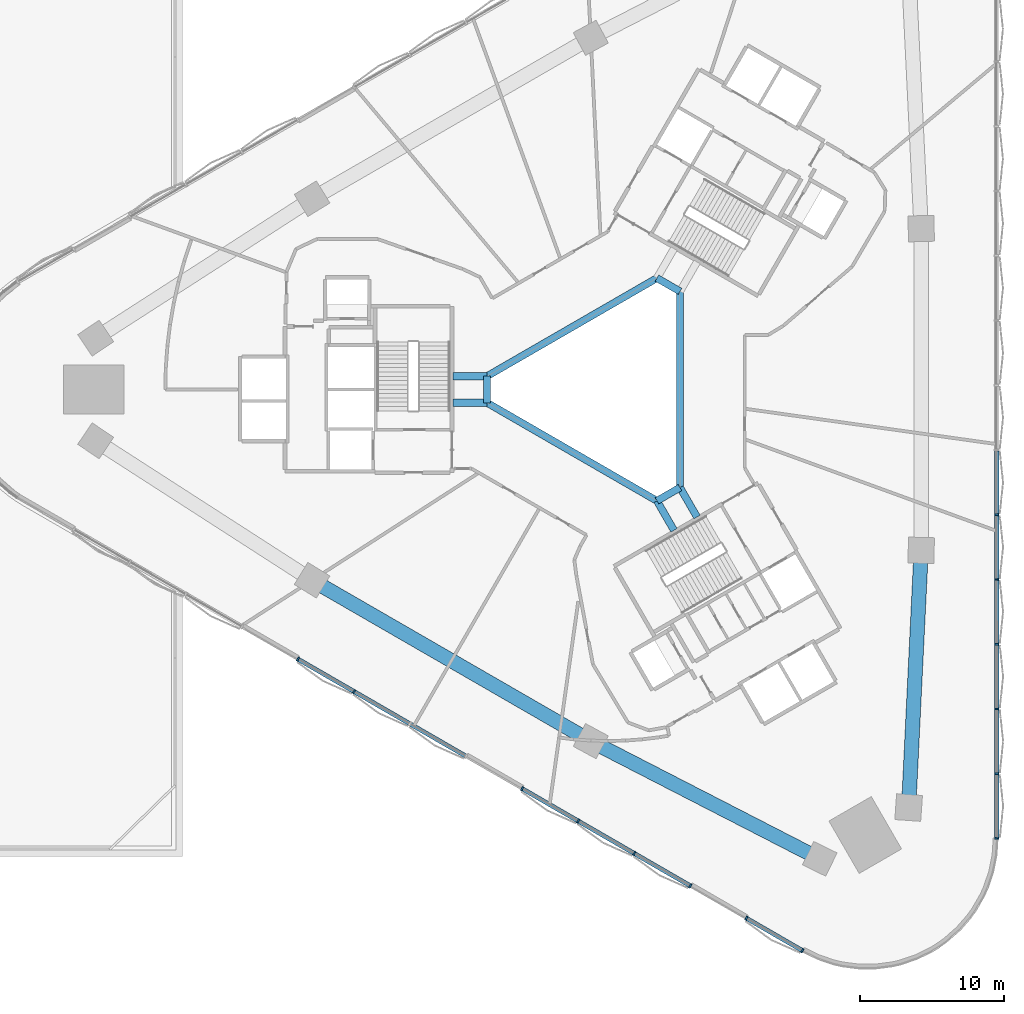
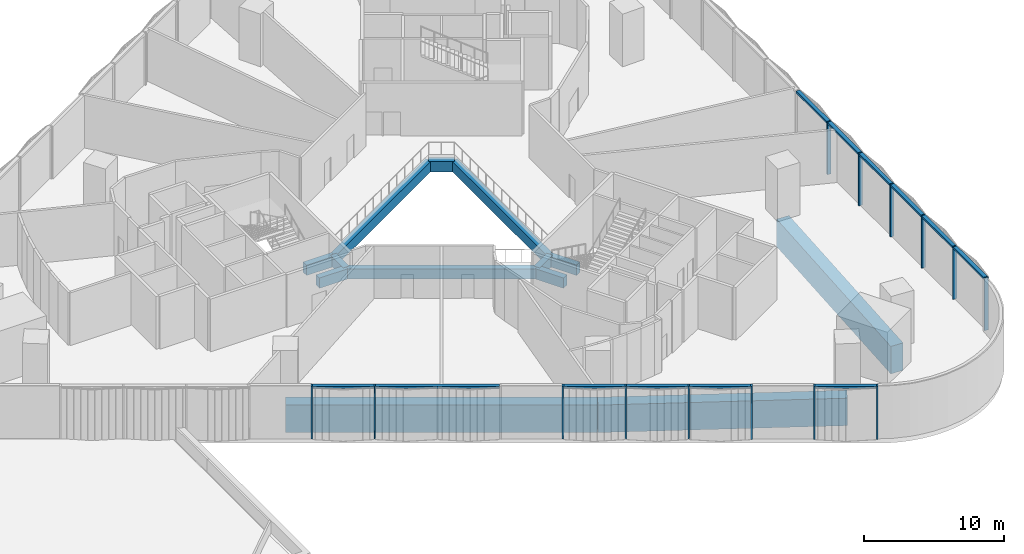
# One storey, part 3 of 14: 19 members, 13 beams, 2 elements without a shape of their own.
"""IFC4 building model written with IfcOpenShell, lengths in metres."""

from ifc_helpers import new_model, si_unit, direction, frame, origin, origin_2d, place, context, subcontext, project, spatial, rectangle, extrude, material, material_profile, profile_set, type_object, element, aggregate, save


model = new_model("IFC4")

# Units and contexts
model_context = context("Model", 3, precision=1e-05, world=origin(), true_north=direction((0.0, 1.0)))
body_context = subcontext(model_context, "Body", "Model", "MODEL_VIEW")
ifc_project = project(units=[si_unit("LENGTHUNIT", "METRE"), si_unit("AREAUNIT", "SQUARE_METRE"), si_unit("VOLUMEUNIT", "CUBIC_METRE"), si_unit("PLANEANGLEUNIT", "RADIAN"), si_unit("MASSUNIT", "GRAM", prefix="KILO")], contexts=[model_context])

# Site, building, storey
site_placement = place(None, origin())
site = spatial("IfcSite", under=ifc_project, at=site_placement, CompositionType="ELEMENT")
building_placement = place(site_placement, origin())
building = spatial("IfcBuilding", under=site, at=building_placement, Name="Tamra Quay Hotel Tower", CompositionType="ELEMENT")
storey_placement = place(building_placement, frame((0.0, 0.0, 24.5)))
storey = spatial("IfcBuildingStorey", under=building, at=storey_placement, Name="L04", CompositionType="ELEMENT", Elevation=24.5)

# Beams
ifc_material_1 = material(Name="Concrete M60", Category="concrete")
ifc_material_profile_1 = material_profile(ifc_material_1, rectangle(XDim=0.5, YDim=0.89990234375, at=origin_2d()), Name="ATRIUM EDGE BEAM RC 500x900")
ifc_profile_set_1 = profile_set([ifc_material_profile_1], Name="Concrete M60")
beam_type_1 = type_object("IfcBeamType", Name="ATRIUM EDGE BEAM RC 500x900", PredefinedType="BEAM", material=ifc_profile_set_1)
beam_1_placement = place(storey_placement, frame((5.0, 6.812744140625, -0.89990234375), z_axis=(0.0, -1.0, 0.0), x_axis=(1.0, 0.0, 0.0)))
element("IfcBeam", 1, at=beam_1_placement, inside=storey, type_object=beam_type_1, Name="BM-AB0-L04", PredefinedType="BEAM", context=body_context, shape_type="SweptSolid", body=[
    extrude(rectangle(XDim=0.5, YDim=0.89990234375, at=origin_2d()), origin(), (0.0, 0.0, 1.0), 13.62548828125),
])
beam_2_placement = place(storey_placement, frame((5.0, -6.812744140625, -0.89990234375), z_axis=(-0.86602275259, -0.500004591975, 0.0), x_axis=(0.500004591975, -0.86602275259, 0.0)))
element("IfcBeam", 2, at=beam_2_placement, inside=storey, type_object=beam_type_1, Name="BM-AB1-L04", PredefinedType="BEAM", context=body_context, shape_type="SweptSolid", body=[
    extrude(rectangle(XDim=0.5, YDim=0.89990234375, at=origin_2d()), origin(), (0.0, 0.0, 1.0), 1.84765625),
])
beam_3_placement = place(storey_placement, frame((3.39990234375, -7.736572265625, -0.89990234375), z_axis=(-0.866021471679, 0.500006810544, 0.0), x_axis=(-0.500006810544, -0.866021471679, 0.0)))
element("IfcBeam", 3, at=beam_3_placement, inside=storey, type_object=beam_type_1, Name="BM-AB2-L04", PredefinedType="BEAM", context=body_context, shape_type="SweptSolid", body=[
    extrude(rectangle(XDim=0.5, YDim=0.89990234375, at=origin_2d()), origin(), (0.0, 0.0, 1.0), 13.625244140625),
])
beam_4_placement = place(storey_placement, frame((-8.39990234375, -0.923828125, -0.89990234375), z_axis=(0.0, 1.0, 0.0), x_axis=(-1.0, 0.0, 0.0)))
element("IfcBeam", 4, at=beam_4_placement, inside=storey, type_object=beam_type_1, Name="BM-AB3-L04", PredefinedType="BEAM", context=body_context, shape_type="SweptSolid", body=[
    extrude(rectangle(XDim=0.5, YDim=0.89990234375, at=origin_2d()), origin(), (0.0, 0.0, 1.0), 1.84765625),
])
beam_5_placement = place(storey_placement, frame((-8.39990234375, 0.923828125, -0.89990234375), z_axis=(0.866021471679, 0.500006810544, 0.0), x_axis=(-0.500006810544, 0.866021471679, 0.0)))
element("IfcBeam", 5, at=beam_5_placement, inside=storey, type_object=beam_type_1, Name="BM-AB4-L04", PredefinedType="BEAM", context=body_context, shape_type="SweptSolid", body=[
    extrude(rectangle(XDim=0.5, YDim=0.89990234375, at=origin_2d()), origin(), (0.0, 0.0, 1.0), 13.625244140625),
])
beam_6_placement = place(storey_placement, frame((3.39990234375, 7.736572265625, -0.89990234375), z_axis=(0.86602275259, -0.500004591975, 0.0), x_axis=(0.500004591975, 0.86602275259, 0.0)))
element("IfcBeam", 6, at=beam_6_placement, inside=storey, type_object=beam_type_1, Name="BM-AB5-L04", PredefinedType="BEAM", context=body_context, shape_type="SweptSolid", body=[
    extrude(rectangle(XDim=0.5, YDim=0.89990234375, at=origin_2d()), origin(), (0.0, 0.0, 1.0), 1.84765625),
])
ifc_material_profile_2 = material_profile(ifc_material_1, rectangle(XDim=0.5, YDim=0.89990234375, at=origin_2d()), Name="ATRIUM TIE BEAM RC 500x900")
ifc_profile_set_2 = profile_set([ifc_material_profile_2], Name="Concrete M60")
beam_type_2 = type_object("IfcBeamType", Name="ATRIUM TIE BEAM RC 500x900", PredefinedType="BEAM", material=ifc_profile_set_2)
for number, where, z_axis, x_axis, name in (
    (7, (5.0, -6.812744140625, -0.89990234375), (0.500029618126, -0.866008303076, 0.0), (0.866008303076, 0.500029618126, 0.0), "BM-TIE-1-L04"),
    (8, (3.39990234375, -7.736572265625, -0.89990234375), (0.500029618126, -0.866008303076, 0.0), (0.866008303076, 0.500029618126, 0.0), "BM-TIE-2-L04"),
):
    element("IfcBeam", number, at=place(storey_placement, frame(where, z_axis=z_axis, x_axis=x_axis)), inside=storey, type_object=beam_type_2, Name=name, PredefinedType="BEAM", context=body_context, shape_type="SweptSolid", body=[
        extrude(rectangle(XDim=0.5, YDim=0.89990234375, at=origin_2d()), origin(), (0.0, 0.0, 1.0), 2.362060546875),
    ])
for number, where, z_axis, x_axis, name in (
    (9, (-8.39990234375, -0.923828125, -0.89990234375), (-1.0, 0.0, 0.0), (0.0, -1.0, 0.0), "BM-TIE-3-L04"),
    (10, (-8.39990234375, 0.923828125, -0.89990234375), (-1.0, 0.0, 0.0), (0.0, -1.0, 0.0), "BM-TIE-4-L04"),
):
    element("IfcBeam", number, at=place(storey_placement, frame(where, z_axis=z_axis, x_axis=x_axis)), inside=storey, type_object=beam_type_2, Name=name, PredefinedType="BEAM", context=body_context, shape_type="SweptSolid", body=[
        extrude(rectangle(XDim=0.5, YDim=0.89990234375, at=origin_2d()), origin(), (0.0, 0.0, 1.0), 2.3623046875),
    ])

# Curtain wall, members
ifc_material_2 = material(Name="Aluminium 6063 anodised dark grey", Category="aluminium")
curtain_wall_type = type_object("IfcCurtainWallType", Name="CW4 CURTAIN WALL", PredefinedType="NOTDEFINED", material=ifc_material_2)
curtain_wall_1_placement = place(storey_placement, origin())
curtain_wall_1 = element("IfcCurtainWall", 11, at=curtain_wall_1_placement, inside=storey, type_object=curtain_wall_type, Name="CW4 south-west face L04", PredefinedType="NOTDEFINED")
ifc_material_profile_3 = material_profile(ifc_material_2, rectangle(XDim=0.300048828125, YDim=0.1201171875, at=origin_2d()), Name="MULLION 120X300")
ifc_profile_set_3 = profile_set([ifc_material_profile_3], Name="Aluminium 6063 anodised dark grey")
member_type_1 = type_object("IfcMemberType", Name="MULLION CW4", PredefinedType="MULLION", material=ifc_profile_set_3)
member_1_placement = place(storey_placement, frame((-21.535888671875, -18.72900390625, 0.0), z_axis=(0.0, 0.0, 1.0), x_axis=(-0.500265108278, -0.865872289336, 0.0)))
member_1 = element("IfcMember", 12, at=member_1_placement, type_object=member_type_1, Name="CW4 mullion L04.SW.4", PredefinedType="MULLION", context=body_context, shape_type="SweptSolid", body=[
    extrude(rectangle(XDim=0.300048828125, YDim=0.1201171875, at=origin_2d()), origin(), (0.0, 0.0, 1.0), 4.60009765625),
])
member_2_placement = place(storey_placement, frame((-17.642822265625, -20.97802734375, 0.0), z_axis=(0.0, 0.0, 1.0), x_axis=(-0.500265108278, -0.865872289336, 0.0)))
member_2 = element("IfcMember", 13, at=member_2_placement, type_object=member_type_1, Name="CW4 mullion L04.SW.5", PredefinedType="MULLION", context=body_context, shape_type="SweptSolid", body=[
    extrude(rectangle(XDim=0.300048828125, YDim=0.1201171875, at=origin_2d()), origin(), (0.0, 0.0, 1.0), 4.60009765625),
])
member_3_placement = place(storey_placement, frame((-5.96435546875, -27.725341796875, 0.0), z_axis=(0.0, 0.0, 1.0), x_axis=(-0.500265108278, -0.865872289336, 0.0)))
member_3 = element("IfcMember", 14, at=member_3_placement, type_object=member_type_1, Name="CW4 mullion L04.SW.7", PredefinedType="MULLION", context=body_context, shape_type="SweptSolid", body=[
    extrude(rectangle(XDim=0.300048828125, YDim=0.1201171875, at=origin_2d()), origin(), (0.0, 0.0, 1.0), 4.60009765625),
])
member_4_placement = place(storey_placement, frame((-2.071533203125, -29.974609375, 0.0), z_axis=(0.0, 0.0, 1.0), x_axis=(-0.500265108278, -0.865872289336, 0.0)))
member_4 = element("IfcMember", 15, at=member_4_placement, type_object=member_type_1, Name="CW4 mullion L04.SW.8", PredefinedType="MULLION", context=body_context, shape_type="SweptSolid", body=[
    extrude(rectangle(XDim=0.300048828125, YDim=0.1201171875, at=origin_2d()), origin(), (0.0, 0.0, 1.0), 4.60009765625),
])
member_5_placement = place(storey_placement, frame((1.8212890625, -32.2236328125, 0.0), z_axis=(0.0, 0.0, 1.0), x_axis=(-0.500265108278, -0.865872289336, 0.0)))
member_5 = element("IfcMember", 16, at=member_5_placement, type_object=member_type_1, Name="CW4 mullion L04.SW.9", PredefinedType="MULLION", context=body_context, shape_type="SweptSolid", body=[
    extrude(rectangle(XDim=0.300048828125, YDim=0.1201171875, at=origin_2d()), origin(), (0.0, 0.0, 1.0), 4.60009765625),
])
member_6_placement = place(storey_placement, frame((5.71435546875, -34.472900390625, 0.0), z_axis=(0.0, 0.0, 1.0), x_axis=(-0.500265108278, -0.865872289336, 0.0)))
member_6 = element("IfcMember", 17, at=member_6_placement, type_object=member_type_1, Name="CW4 mullion L04.SW.10", PredefinedType="MULLION", context=body_context, shape_type="SweptSolid", body=[
    extrude(rectangle(XDim=0.300048828125, YDim=0.1201171875, at=origin_2d()), origin(), (0.0, 0.0, 1.0), 4.60009765625),
])
member_7_placement = place(storey_placement, frame((9.607177734375, -36.721923828125, 0.0), z_axis=(0.0, 0.0, 1.0), x_axis=(-0.500265108278, -0.865872289336, 0.0)))
member_7 = element("IfcMember", 18, at=member_7_placement, type_object=member_type_1, Name="CW4 mullion L04.SW.10", PredefinedType="MULLION", context=body_context, shape_type="SweptSolid", body=[
    extrude(rectangle(XDim=0.300048828125, YDim=0.1201171875, at=origin_2d()), origin(), (0.0, 0.0, 1.0), 4.60009765625),
])
member_8_placement = place(storey_placement, frame((13.5, -38.97119140625, 0.0), z_axis=(0.0, 0.0, 1.0), x_axis=(-0.471531730393, -0.881849095499, 0.0)))
member_8 = element("IfcMember", 19, at=member_8_placement, type_object=member_type_1, Name="CW4 mullion L04.SW.11", PredefinedType="MULLION", context=body_context, shape_type="SweptSolid", body=[
    extrude(rectangle(XDim=0.300048828125, YDim=0.1201171875, at=origin_2d()), origin(), (0.0, 0.0, 1.0), 4.60009765625),
])

curtain_wall_2_placement = place(storey_placement, origin())
curtain_wall_2 = element("IfcCurtainWall", 20, at=curtain_wall_2_placement, inside=storey, type_object=curtain_wall_type, Name="CW4 east face L04", PredefinedType="NOTDEFINED")
member_9_placement = place(storey_placement, frame((27.0, -31.177001953125, 0.0), z_axis=(0.0, 0.0, 1.0), x_axis=(0.999469584203, -0.032566090539, 0.0)))
member_9 = element("IfcMember", 21, at=member_9_placement, type_object=member_type_1, Name="CW4 mullion L04.E.1", PredefinedType="MULLION", context=body_context, shape_type="SweptSolid", body=[
    extrude(rectangle(XDim=0.300048828125, YDim=0.1201171875, at=origin_2d()), origin(), (0.0, 0.0, 1.0), 4.60009765625),
])
member_10_placement = place(storey_placement, frame((26.99853515625, -26.680908203125, 0.0), z_axis=(0.0, 0.0, 1.0), x_axis=(0.999999953137, 0.000306147728, 0.0)))
member_10 = element("IfcMember", 22, at=member_10_placement, type_object=member_type_1, Name="CW4 mullion L04.E.2", PredefinedType="MULLION", context=body_context, shape_type="SweptSolid", body=[
    extrude(rectangle(XDim=0.300048828125, YDim=0.1201171875, at=origin_2d()), origin(), (0.0, 0.0, 1.0), 4.60009765625),
])
member_11_placement = place(storey_placement, frame((26.997314453125, -22.18505859375, 0.0), z_axis=(0.0, 0.0, 1.0), x_axis=(0.999999953137, 0.000306147728, 0.0)))
member_11 = element("IfcMember", 23, at=member_11_placement, type_object=member_type_1, Name="CW4 mullion L04.E.3", PredefinedType="MULLION", context=body_context, shape_type="SweptSolid", body=[
    extrude(rectangle(XDim=0.300048828125, YDim=0.1201171875, at=origin_2d()), origin(), (0.0, 0.0, 1.0), 4.60009765625),
])
member_12_placement = place(storey_placement, frame((26.995849609375, -17.689208984375, 0.0), z_axis=(0.0, 0.0, 1.0), x_axis=(0.999999953137, 0.000306147728, 0.0)))
member_12 = element("IfcMember", 24, at=member_12_placement, type_object=member_type_1, Name="CW4 mullion L04.E.4", PredefinedType="MULLION", context=body_context, shape_type="SweptSolid", body=[
    extrude(rectangle(XDim=0.300048828125, YDim=0.1201171875, at=origin_2d()), origin(), (0.0, 0.0, 1.0), 4.60009765625),
])
member_13_placement = place(storey_placement, frame((26.994384765625, -13.193359375, 0.0), z_axis=(0.0, 0.0, 1.0), x_axis=(0.999999953137, 0.000306147728, 0.0)))
member_13 = element("IfcMember", 25, at=member_13_placement, type_object=member_type_1, Name="CW4 mullion L04.E.5", PredefinedType="MULLION", context=body_context, shape_type="SweptSolid", body=[
    extrude(rectangle(XDim=0.300048828125, YDim=0.1201171875, at=origin_2d()), origin(), (0.0, 0.0, 1.0), 4.60009765625),
])
member_14_placement = place(storey_placement, frame((26.9931640625, -8.697509765625, 0.0), z_axis=(0.0, 0.0, 1.0), x_axis=(0.999999953137, 0.000306147728, 0.0)))
member_14 = element("IfcMember", 26, at=member_14_placement, type_object=member_type_1, Name="CW4 mullion L04.E.6", PredefinedType="MULLION", context=body_context, shape_type="SweptSolid", body=[
    extrude(rectangle(XDim=0.300048828125, YDim=0.1201171875, at=origin_2d()), origin(), (0.0, 0.0, 1.0), 4.60009765625),
])

# Beams
ifc_material_profile_4 = material_profile(ifc_material_1, rectangle(XDim=1.0, YDim=2.39990234375, at=origin_2d()), Name="PODIUM RING GIRDER RC 1000x2400")
ifc_profile_set_4 = profile_set([ifc_material_profile_4], Name="Concrete M60")
beam_type_3 = type_object("IfcBeamType", Name="PODIUM RING GIRDER RC 1000x2400", PredefinedType="BEAM", material=ifc_profile_set_4)
beam_7_placement = place(storey_placement, frame((20.87890625, -29.033935546875, -1.64990234375), z_axis=(0.048662088022, 0.998815298836, 0.0), x_axis=(-0.998815298836, 0.048662088022, 0.0)))
element("IfcBeam", 27, at=beam_7_placement, inside=storey, type_object=beam_type_3, Name="BM-PG001-L04", PredefinedType="BEAM", context=body_context, shape_type="SweptSolid", body=[
    extrude(rectangle(XDim=1.0, YDim=2.39990234375, at=origin_2d()), origin(), (0.0, 0.0, 1.0), 17.880859375),
])
beam_8_placement = place(storey_placement, frame((-20.552001953125, -13.248046875, -1.64990234375), z_axis=(0.866023498866, -0.500003299401, 0.0), x_axis=(0.500003299401, 0.866023498866, 0.0)))
element("IfcBeam", 28, at=beam_8_placement, inside=storey, type_object=beam_type_3, Name="BM-PG008-L04", PredefinedType="BEAM", context=body_context, shape_type="SweptSolid", body=[
    extrude(rectangle(XDim=1.0, YDim=2.39990234375, at=origin_2d()), origin(), (0.0, 0.0, 1.0), 22.348876953125),
])
beam_9_placement = place(storey_placement, frame((-1.197265625, -24.422607421875, -1.64990234375), z_axis=(0.889334920836, -0.457256381673, 0.0), x_axis=(0.457256381673, 0.889334920836, 0.0)))
element("IfcBeam", 29, at=beam_9_placement, inside=storey, type_object=beam_type_3, Name="BM-PG009-L04", PredefinedType="BEAM", context=body_context, shape_type="SweptSolid", body=[
    extrude(rectangle(XDim=1.0, YDim=2.39990234375, at=origin_2d()), origin(), (0.0, 0.0, 1.0), 17.880615234375),
])

# Member
ifc_material_profile_5 = material_profile(ifc_material_2, rectangle(XDim=0.300048828125, YDim=0.179931640625, at=origin_2d()), Name="TRANSOM 300X180")
ifc_profile_set_5 = profile_set([ifc_material_profile_5], Name="Aluminium 6063 anodised dark grey")
member_type_2 = type_object("IfcMemberType", Name="TRANSOM CW4", PredefinedType="USERDEFINED", material=ifc_profile_set_5)
member_15_placement = place(storey_placement, frame((-21.48388671875, -18.759033203125, 4.510009765625), z_axis=(0.865876500437, -0.50025781952, 0.0), x_axis=(0.50025781952, 0.865876500437, 0.0)))
member_15 = element("IfcMember", 30, at=member_15_placement, type_object=member_type_2, Name="CW4 transom L04.SW.4", ObjectType="TRANSOM", PredefinedType="USERDEFINED", context=body_context, shape_type="SweptSolid", body=[
    extrude(rectangle(XDim=0.300048828125, YDim=0.179931640625, at=origin_2d()), origin(), (0.0, 0.0, 1.0), 13.36767578125),
])

member_16_placement = place(storey_placement, frame((-5.912353515625, -27.75537109375, 4.510009765625), z_axis=(0.86586858932, -0.500271512311, 0.0), x_axis=(0.500271512311, 0.86586858932, 0.0)))
member_16 = element("IfcMember", 31, at=member_16_placement, type_object=member_type_2, Name="CW4 transom L04.SW.7", ObjectType="TRANSOM", PredefinedType="USERDEFINED", context=body_context, shape_type="SweptSolid", body=[
    extrude(rectangle(XDim=0.300048828125, YDim=0.179931640625, at=origin_2d()), origin(), (0.0, 0.0, 1.0), 13.36767578125),
])

member_17_placement = place(storey_placement, frame((9.6591796875, -36.751953125, 4.510009765625), z_axis=(0.865853794588, -0.500297118118, 0.0), x_axis=(0.500297118118, 0.865853794588, 0.0)))
member_17 = element("IfcMember", 32, at=member_17_placement, type_object=member_type_2, Name="CW4 transom L04.SW.10", ObjectType="TRANSOM", PredefinedType="USERDEFINED", context=body_context, shape_type="SweptSolid", body=[
    extrude(rectangle(XDim=0.300048828125, YDim=0.179931640625, at=origin_2d()), origin(), (0.0, 0.0, 1.0), 4.375732421875),
])

aggregate(curtain_wall_1, [member_1, member_15, member_2, member_3, member_16, member_4, member_5, member_6, member_7, member_17, member_8])

member_18_placement = place(storey_placement, frame((27.0, -31.116943359375, 4.510009765625), z_axis=(-0.000310479585, 0.999999951801, 0.0), x_axis=(-0.999999951801, -0.000310479585, 0.0)))
member_18 = element("IfcMember", 33, at=member_18_placement, type_object=member_type_2, Name="CW4 transom L04.E.1", ObjectType="TRANSOM", PredefinedType="USERDEFINED", context=body_context, shape_type="SweptSolid", body=[
    extrude(rectangle(XDim=0.300048828125, YDim=0.179931640625, at=origin_2d()), origin(), (0.0, 0.0, 1.0), 13.36767578125),
])

member_19_placement = place(storey_placement, frame((26.995849609375, -17.629150390625, 4.510009765625), z_axis=(-0.000310479585, 0.999999951801, 0.0), x_axis=(-0.999999951801, -0.000310479585, 0.0)))
member_19 = element("IfcMember", 34, at=member_19_placement, type_object=member_type_2, Name="CW4 transom L04.E.4", ObjectType="TRANSOM", PredefinedType="USERDEFINED", context=body_context, shape_type="SweptSolid", body=[
    extrude(rectangle(XDim=0.300048828125, YDim=0.179931640625, at=origin_2d()), origin(), (0.0, 0.0, 1.0), 13.36767578125),
])

aggregate(curtain_wall_2, [member_9, member_18, member_10, member_11, member_12, member_19, member_13, member_14])

save(model, "model.ifc")
